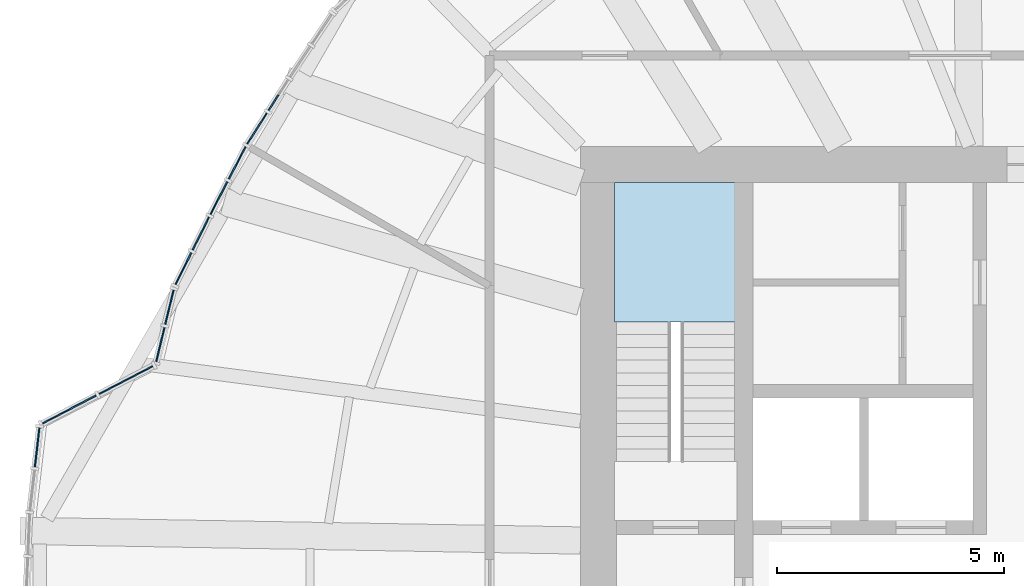
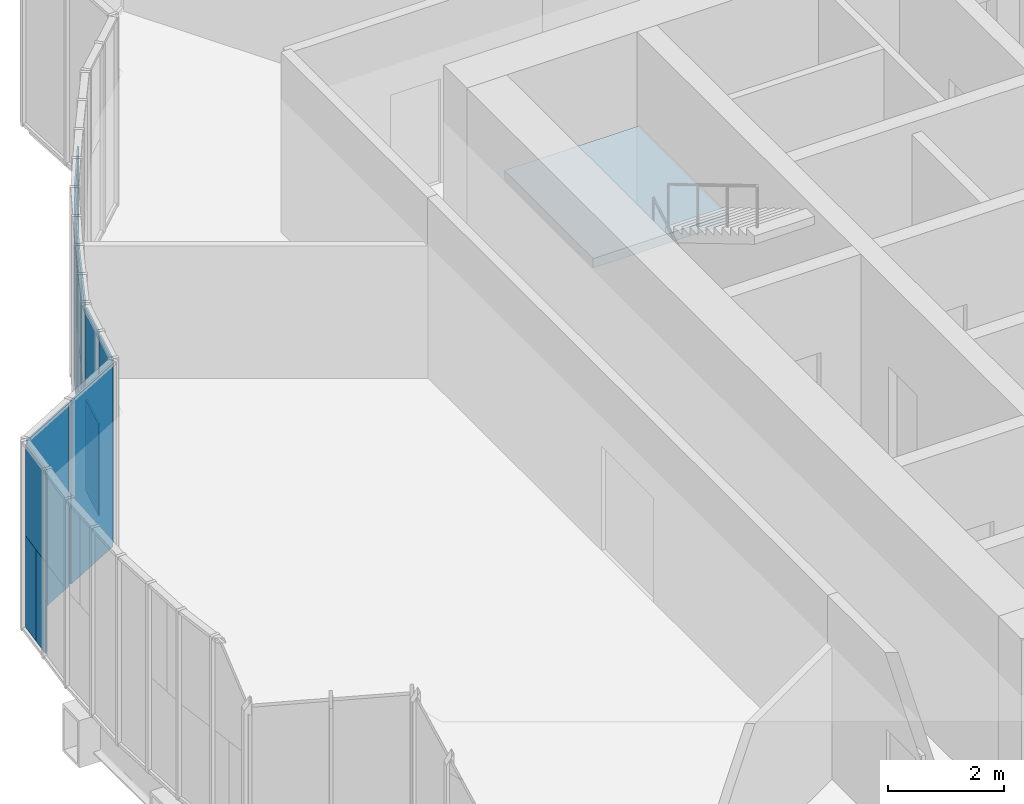
# One storey, part 15 of 24: 18 plates, 1 slab, 7 elements without a shape of their own.
"""IFC4 building model written with IfcOpenShell, lengths in metres."""

from ifc_helpers import new_model, si_unit, direction, frame, origin, origin_2d, place, context, subcontext, project, spatial, polyline, rectangle, outline, extrude, material, layer, layer_set, type_object, element, aggregate, save


model = new_model("IFC4")

# Units and contexts
model_context = context("Model", 3, precision=1e-05, world=origin(), true_north=direction((0.0, 1.0)))
body_context = subcontext(model_context, "Body", "Model", "MODEL_VIEW")
ifc_project = project(units=[si_unit("LENGTHUNIT", "METRE"), si_unit("AREAUNIT", "SQUARE_METRE"), si_unit("VOLUMEUNIT", "CUBIC_METRE"), si_unit("PLANEANGLEUNIT", "RADIAN"), si_unit("MASSUNIT", "GRAM", prefix="KILO")], contexts=[model_context])

# Site, building, storey
site_placement = place(None, origin())
site = spatial("IfcSite", under=ifc_project, at=site_placement, CompositionType="ELEMENT")
building_placement = place(site_placement, origin())
building = spatial("IfcBuilding", under=site, at=building_placement, Name="Golbaran Civic Tower", CompositionType="ELEMENT")
storey_placement = place(building_placement, frame((0.0, 0.0, 25.0)))
storey = spatial("IfcBuildingStorey", under=building, at=storey_placement, Name="L05", CompositionType="ELEMENT", Elevation=25.0)

# Curtain wall, plates
ifc_material_1 = material(Name="Aluminium and glass", Category="aluminium")
curtain_wall_type = type_object("IfcCurtainWallType", Name="INNER SKIN CURTAIN WALL", PredefinedType="NOTDEFINED", material=ifc_material_1)
curtain_wall_1_placement = place(storey_placement, origin())
curtain_wall_1 = element("IfcCurtainWall", 1, at=curtain_wall_1_placement, inside=storey, type_object=curtain_wall_type, Name="Inner skin L05 facet 30 CW1", ObjectType="INNER SKIN", PredefinedType="USERDEFINED")
ifc_material_2 = material(Name="Clear insulating glass", Category="glass")
ifc_layer_1 = layer(ifc_material_2, 0.031982421875, Name="Clear insulating glass")
ifc_layer_set_1 = layer_set([ifc_layer_1], Name="Clear insulating glass")
plate_type_1 = type_object("IfcPlateType", Name="INNER SKIN CURTAIN WALL GLAZED PANEL", PredefinedType="CURTAIN_PANEL", material=ifc_layer_set_1)
plate_1_placement = place(storey_placement, frame((-16.76416015625, 10.960693359375, 2.0), z_axis=(0.0, 0.0, 1.0), x_axis=(-0.537299608303, -0.843391445841, 0.0)))
plate_1 = element("IfcPlate", 2, at=plate_1_placement, type_object=plate_type_1, Name="CW1 panel 1.1 part 3", PredefinedType="CURTAIN_PANEL", context=body_context, shape_type="SweptSolid", body=[
    extrude(rectangle(XDim=0.408447265625, YDim=0.031982421875, at=origin_2d()), origin(), (0.0, 0.0, 1.0), 1.93505859375),
])
plate_2_placement = place(storey_placement, frame((-17.126220703125, 10.392333984375, 0.06494140625), z_axis=(0.0, 0.0, 1.0), x_axis=(-0.537299608303, -0.843391445841, 0.0)))
plate_2 = element("IfcPlate", 3, at=plate_2_placement, type_object=plate_type_1, Name="CW1 panel 2.1", PredefinedType="CURTAIN_PANEL", context=body_context, shape_type="SweptSolid", body=[
    extrude(rectangle(XDim=0.809326171875, YDim=0.031982421875, at=origin_2d()), origin(), (0.0, 0.0, 1.0), 3.8701171875),
])
aggregate(curtain_wall_1, [plate_1, plate_2])

curtain_wall_2_placement = place(storey_placement, origin())
curtain_wall_2 = element("IfcCurtainWall", 4, at=curtain_wall_2_placement, inside=storey, type_object=curtain_wall_type, Name="Inner skin L05 facet 31 CW1", ObjectType="INNER SKIN", PredefinedType="USERDEFINED")
plate_3_placement = place(storey_placement, frame((-17.56298828125, 9.6357421875, 0.06494140625), z_axis=(0.0, 0.0, 1.0), x_axis=(-0.461748613189, -0.887010833202, 0.0)))
plate_3 = element("IfcPlate", 5, at=plate_3_placement, type_object=plate_type_1, Name="CW1 panel 1.1", PredefinedType="CURTAIN_PANEL", context=body_context, shape_type="SweptSolid", body=[
    extrude(rectangle(XDim=0.809326171875, YDim=0.031982421875, at=origin_2d()), origin(), (0.0, 0.0, 1.0), 3.8701171875),
])
plate_4_placement = place(storey_placement, frame((-17.874267578125, 9.0380859375, 2.0), z_axis=(0.0, 0.0, 1.0), x_axis=(-0.461748613189, -0.887010833202, 0.0)))
plate_4 = element("IfcPlate", 6, at=plate_4_placement, type_object=plate_type_1, Name="CW1 panel 2.1 part 2", PredefinedType="CURTAIN_PANEL", context=body_context, shape_type="SweptSolid", body=[
    extrude(rectangle(XDim=0.407958984375, YDim=0.031982421875, at=origin_2d()), origin(), (0.0, 0.0, 1.0), 1.93505859375),
])

curtain_wall_3_placement = place(storey_placement, origin())
curtain_wall_3 = element("IfcCurtainWall", 7, at=curtain_wall_3_placement, inside=storey, type_object=curtain_wall_type, Name="Inner skin L05 facet 33 CW1", ObjectType="INNER SKIN", PredefinedType="USERDEFINED")
plate_5_placement = place(storey_placement, frame((-19.05712890625, 6.454345703125, 0.06494140625), z_axis=(0.0, 0.0, 1.0), x_axis=(-0.235524616461, -0.9718683836, 0.0)))
plate_5 = element("IfcPlate", 8, at=plate_5_placement, type_object=plate_type_1, Name="CW1 panel 1.1 part 1", PredefinedType="CURTAIN_PANEL", context=body_context, shape_type="SweptSolid", body=[
    extrude(rectangle(XDim=0.781494140625, YDim=0.031982421875, at=origin_2d()), origin(), (0.0, 0.0, 1.0), 1.93505859375),
])
plate_6_placement = place(storey_placement, frame((-19.256591796875, 5.631591796875, 0.06494140625), z_axis=(0.0, 0.0, 1.0), x_axis=(-0.235524616461, -0.9718683836, 0.0)))
plate_6 = element("IfcPlate", 9, at=plate_6_placement, type_object=plate_type_1, Name="CW1 panel 2.1", PredefinedType="CURTAIN_PANEL", context=body_context, shape_type="SweptSolid", body=[
    extrude(rectangle(XDim=0.781494140625, YDim=0.031982421875, at=origin_2d()), origin(), (0.0, 0.0, 1.0), 3.8701171875),
])

curtain_wall_4_placement = place(storey_placement, origin())
curtain_wall_4 = element("IfcCurtainWall", 10, at=curtain_wall_4_placement, inside=storey, type_object=curtain_wall_type, Name="Inner skin L05 facet 34 CW1", ObjectType="INNER SKIN", PredefinedType="USERDEFINED")
plate_7_placement = place(storey_placement, frame((-20.015869140625, 4.849853515625, 0.06494140625), z_axis=(0.0, 0.0, 1.0), x_axis=(-0.887428658411, -0.460945090256, 0.0)))
plate_7 = element("IfcPlate", 11, at=plate_7_placement, type_object=plate_type_1, Name="CW1 panel 1.1", PredefinedType="CURTAIN_PANEL", context=body_context, shape_type="SweptSolid", body=[
    extrude(rectangle(XDim=1.33935546875, YDim=0.031982421875, at=origin_2d()), origin(), (0.0, 0.0, 1.0), 3.8701171875),
])
plate_8_placement = place(storey_placement, frame((-21.261962890625, 4.20263671875, 0.06494140625), z_axis=(0.0, 0.0, 1.0), x_axis=(-0.887428658411, -0.460945090256, 0.0)))
plate_8 = element("IfcPlate", 12, at=plate_8_placement, type_object=plate_type_1, Name="CW1 panel 2.1", PredefinedType="CURTAIN_PANEL", context=body_context, shape_type="SweptSolid", body=[
    extrude(rectangle(XDim=1.33935546875, YDim=0.031982421875, at=origin_2d()), origin(), (0.0, 0.0, 1.0), 3.8701171875),
])
aggregate(curtain_wall_4, [plate_7, plate_8])

# Curtain wall, plate
curtain_wall_5_placement = place(storey_placement, origin())
curtain_wall_5 = element("IfcCurtainWall", 13, at=curtain_wall_5_placement, inside=storey, type_object=curtain_wall_type, Name="Inner skin L05 facet 35 CW1", ObjectType="INNER SKIN", PredefinedType="USERDEFINED")
plate_9_placement = place(storey_placement, frame((-21.948486328125, 3.5654296875, 0.06494140625), z_axis=(0.0, 0.0, 1.0), x_axis=(-0.114683042492, -0.993402133964, 0.0)))
plate_9 = element("IfcPlate", 14, at=plate_9_placement, type_object=plate_type_1, Name="CW1 panel 1.1 part 1", PredefinedType="CURTAIN_PANEL", context=body_context, shape_type="SweptSolid", body=[
    extrude(rectangle(XDim=0.470947265625, YDim=0.031982421875, at=origin_2d()), origin(), (0.0, 0.0, 1.0), 1.93505859375),
])

# Plate
ifc_material_3 = material(Name="Aluminium faced opaque infill panel", Category="aluminium")
ifc_layer_2 = layer(ifc_material_3, 0.031982421875, Name="Aluminium faced opaque infill panel")
ifc_layer_set_2 = layer_set([ifc_layer_2], Name="Aluminium faced opaque infill panel")
plate_type_2 = type_object("IfcPlateType", Name="INNER SKIN CURTAIN WALL OPAQUE INFILL PANEL", PredefinedType="CURTAIN_PANEL", material=ifc_layer_set_2)
plate_10_placement = place(storey_placement, frame((-17.966796875, 8.860107421875, 0.06494140625), z_axis=(0.0, 0.0, 1.0), x_axis=(-0.461748613189, -0.887010833202, 0.0)))
plate_10 = element("IfcPlate", 15, at=plate_10_placement, type_object=plate_type_2, Name="CW1 infill panel 2.1 part 1", PredefinedType="CURTAIN_PANEL", context=body_context, shape_type="SweptSolid", body=[
    extrude(rectangle(XDim=0.809326171875, YDim=0.031982421875, at=origin_2d()), origin(), (0.0, 0.0, 1.0), 1.93505859375),
])

plate_11_placement = place(storey_placement, frame((-18.06103515625, 8.67919921875, 2.0), z_axis=(0.0, 0.0, 1.0), x_axis=(-0.461748613189, -0.887010833202, 0.0)))
plate_11 = element("IfcPlate", 16, at=plate_11_placement, type_object=plate_type_2, Name="CW1 infill panel 2.1 part 3", PredefinedType="CURTAIN_PANEL", context=body_context, shape_type="SweptSolid", body=[
    extrude(rectangle(XDim=0.4013671875, YDim=0.031982421875, at=origin_2d()), origin(), (0.0, 0.0, 1.0), 1.93505859375),
])

aggregate(curtain_wall_2, [plate_3, plate_10, plate_4, plate_11])

# Curtain wall, plates
curtain_wall_6_placement = place(storey_placement, origin())
curtain_wall_6 = element("IfcCurtainWall", 17, at=curtain_wall_6_placement, inside=storey, type_object=curtain_wall_type, Name="Inner skin L05 facet 32 CW1", ObjectType="INNER SKIN", PredefinedType="USERDEFINED")
plate_12_placement = place(storey_placement, frame((-18.364013671875, 8.078369140625, 0.06494140625), z_axis=(0.0, 0.0, 1.0), x_axis=(-0.444282631597, -0.895886679922, 0.0)))
plate_12 = element("IfcPlate", 18, at=plate_12_placement, type_object=plate_type_2, Name="CW1 infill panel 1.1 part 1", PredefinedType="CURTAIN_PANEL", context=body_context, shape_type="SweptSolid", body=[
    extrude(rectangle(XDim=0.81396484375, YDim=0.031982421875, at=origin_2d()), origin(), (0.0, 0.0, 1.0), 1.93505859375),
])
plate_13_placement = place(storey_placement, frame((-18.364013671875, 8.078369140625, 2.0), z_axis=(0.0, 0.0, 1.0), x_axis=(-0.444282631597, -0.895886679922, 0.0)))
plate_13 = element("IfcPlate", 19, at=plate_13_placement, type_object=plate_type_2, Name="CW1 infill panel 1.1 part 2", PredefinedType="CURTAIN_PANEL", context=body_context, shape_type="SweptSolid", body=[
    extrude(rectangle(XDim=0.81396484375, YDim=0.031982421875, at=origin_2d()), origin(), (0.0, 0.0, 1.0), 1.93505859375),
])
plate_14_placement = place(storey_placement, frame((-18.747314453125, 7.305419921875, 0.06494140625), z_axis=(0.0, 0.0, 1.0), x_axis=(-0.444282631597, -0.895886679922, 0.0)))
plate_14 = element("IfcPlate", 20, at=plate_14_placement, type_object=plate_type_2, Name="CW1 infill panel 2.1 part 1", PredefinedType="CURTAIN_PANEL", context=body_context, shape_type="SweptSolid", body=[
    extrude(rectangle(XDim=0.781494140625, YDim=0.031982421875, at=origin_2d()), origin(), (0.0, 0.0, 1.0), 1.93505859375),
])
plate_15_placement = place(storey_placement, frame((-18.747314453125, 7.305419921875, 2.0), z_axis=(0.0, 0.0, 1.0), x_axis=(-0.444282631597, -0.895886679922, 0.0)))
plate_15 = element("IfcPlate", 21, at=plate_15_placement, type_object=plate_type_2, Name="CW1 infill panel 2.1 part 2", PredefinedType="CURTAIN_PANEL", context=body_context, shape_type="SweptSolid", body=[
    extrude(rectangle(XDim=0.781494140625, YDim=0.031982421875, at=origin_2d()), origin(), (0.0, 0.0, 1.0), 1.93505859375),
])
aggregate(curtain_wall_6, [plate_12, plate_13, plate_14, plate_15])

# Plate
plate_16_placement = place(storey_placement, frame((-19.05712890625, 6.454345703125, 2.0), z_axis=(0.0, 0.0, 1.0), x_axis=(-0.235524616461, -0.9718683836, 0.0)))
plate_16 = element("IfcPlate", 22, at=plate_16_placement, type_object=plate_type_2, Name="CW1 infill panel 1.1 part 2", PredefinedType="CURTAIN_PANEL", context=body_context, shape_type="SweptSolid", body=[
    extrude(rectangle(XDim=0.781494140625, YDim=0.031982421875, at=origin_2d()), origin(), (0.0, 0.0, 1.0), 1.93505859375),
])

aggregate(curtain_wall_3, [plate_5, plate_16, plate_6])

plate_17_placement = place(storey_placement, frame((-21.99853515625, 3.132080078125, 0.06494140625), z_axis=(0.0, 0.0, 1.0), x_axis=(-0.114683042492, -0.993402133964, 0.0)))
plate_17 = element("IfcPlate", 23, at=plate_17_placement, type_object=plate_type_2, Name="CW1 infill panel 1.1 part 2", PredefinedType="CURTAIN_PANEL", context=body_context, shape_type="SweptSolid", body=[
    extrude(rectangle(XDim=0.401611328125, YDim=0.031982421875, at=origin_2d()), origin(), (0.0, 0.0, 1.0), 1.93505859375),
])

plate_18_placement = place(storey_placement, frame((-21.971435546875, 3.365966796875, 2.0), z_axis=(0.0, 0.0, 1.0), x_axis=(-0.114683042492, -0.993402133964, 0.0)))
plate_18 = element("IfcPlate", 24, at=plate_18_placement, type_object=plate_type_2, Name="CW1 infill panel 1.1 part 3", PredefinedType="CURTAIN_PANEL", context=body_context, shape_type="SweptSolid", body=[
    extrude(rectangle(XDim=0.87255859375, YDim=0.031982421875, at=origin_2d()), origin(), (0.0, 0.0, 1.0), 1.93505859375),
])

aggregate(curtain_wall_5, [plate_9, plate_17, plate_18])

# Stair, slab
ifc_material_4 = material(Name="Concrete C35/45", Category="concrete")
stair_type = type_object("IfcStairType", Name="EXIT STAIR 2600 x 7450, 4000 RISE", PredefinedType="HALF_TURN_STAIR", material=ifc_material_4)
stair_placement = place(storey_placement, origin())
stair = element("IfcStair", 25, at=stair_placement, inside=storey, type_object=stair_type, Name="Stair S1 L05", PredefinedType="HALF_TURN_STAIR")
ifc_layer_3 = layer(ifc_material_4, 0.199951171875, Name="Concrete C35/45")
ifc_layer_set_3 = layer_set([ifc_layer_3], Name="Concrete C35/45")
slab_type = type_object("IfcSlabType", Name="STAIR LANDING 200", PredefinedType="LANDING", material=ifc_layer_set_3)
slab_placement = place(storey_placement, frame((0.0, 0.0, 1.800048828125)))
slab = element("IfcSlab", 26, at=slab_placement, type_object=slab_type, Name="ST26074-40 landing 1", PredefinedType="LANDING", context=body_context, shape_type="SweptSolid", body=[
    extrude(outline(polyline([(-9.25, 6.125), (-9.25, 9.199951171875), (-6.550048828125, 9.199951171875), (-6.550048828125, 6.125), (-9.25, 6.125)])), origin(), (0.0, 0.0, 1.0), 0.199951171875),
])
aggregate(stair, [slab])

save(model, "model.ifc")
